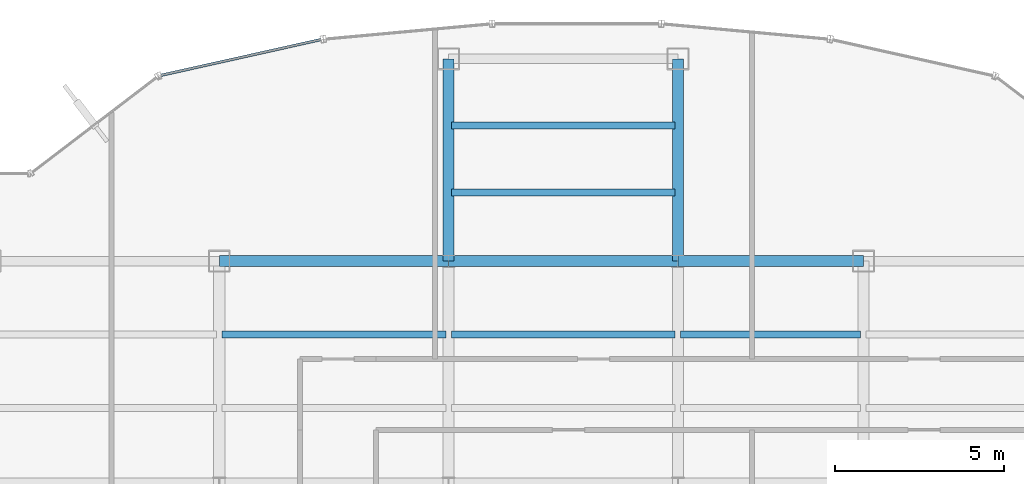
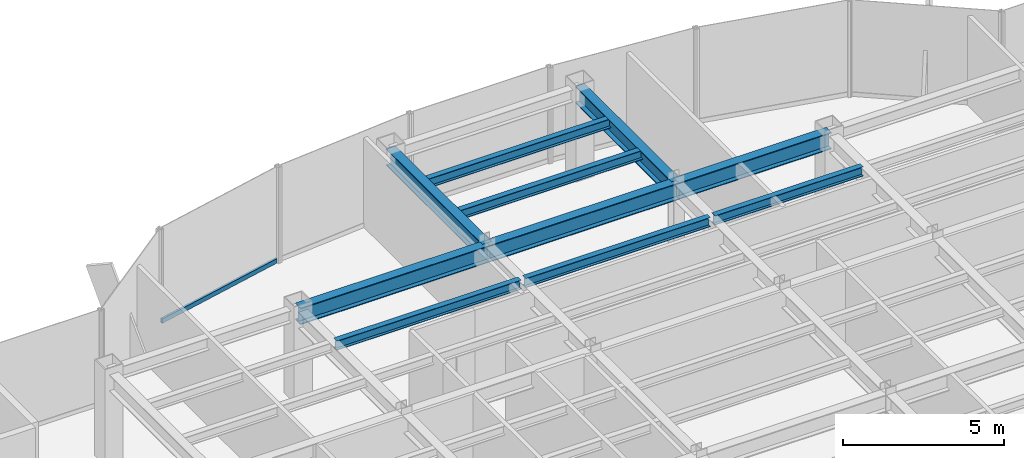
# One storey, part 15 of 25: 10 beams, 1 member, 1 element without a shape of its own.
"""IFC4 building model written with IfcOpenShell, lengths in metres."""

import ifcopenshell
import ifcopenshell.guid

model = None  # the IFC model being written
_history = None  # IfcOwnerHistory: only IFC2X3 demands one
_inside = {}  # id of a spatial element -> (the spatial element, [elements in it])
_under = {}  # id of a project, library or spatial element -> (it, [spatial elements below it])
_declared = {}  # id of a project -> (the project, [libraries it declares])
_typed = {}  # id of a type object -> (the type object, [elements of that type])
_made_of = {}  # id of a material, layer set ... -> (it, [elements and type objects made of it])


def new_model(schema):
    """Start an empty IFC model of exactly this schema.

    Asked for "IFC4X3", IfcOpenShell would pick the latest addendum, in which some entities
    have other attributes; the version numbers below select the first issue.
    IFC2X3 requires an IfcOwnerHistory on every rooted entity: one is made here for all.
    """
    global model, _history
    if schema == "IFC4X3":
        model = ifcopenshell.file(schema_version=(4, 3, 0, 0))
    else:
        model = ifcopenshell.file(schema=schema)
    _inside.clear()
    _under.clear()
    _declared.clear()
    _typed.clear()
    _made_of.clear()
    _history = None
    if model.schema == "IFC2X3":
        org = make("IfcOrganization", Name="unknown")
        user = make(
            "IfcPersonAndOrganization",
            ThePerson=make("IfcPerson", FamilyName="unknown"),
            TheOrganization=org,
        )
        app = make(
            "IfcApplication",
            ApplicationDeveloper=org,
            Version="unknown",
            ApplicationFullName="unknown",
            ApplicationIdentifier="unknown",
        )
        _history = make(
            "IfcOwnerHistory",
            OwningUser=user,
            OwningApplication=app,
            ChangeAction="ADDED",
            CreationDate=0,
        )
    return model


def make(cls, **values):
    """One entity of the class cls with the attributes given. An attribute that is None is left unset."""
    return model.create_entity(
        cls, **{name: value for name, value in values.items() if value is not None}
    )


def rooted(cls, **values):
    """An entity with a GlobalId (a new one), such as an element, a storey or a relation."""
    return make(cls, GlobalId=ifcopenshell.guid.new(), OwnerHistory=_history, **values)


def si_unit(unit_type, name, prefix=None):
    """IfcSIUnit, for example si_unit("LENGTHUNIT", "METRE", prefix="MILLI")."""
    return make("IfcSIUnit", UnitType=unit_type, Prefix=prefix, Name=name)


def derived_unit(unit_type, elements):
    """IfcDerivedUnit: a product of units, each with its exponent."""
    return make(
        "IfcDerivedUnit",
        Elements=[
            make("IfcDerivedUnitElement", Unit=unit, Exponent=power)
            for unit, power in elements
        ],
        UnitType=unit_type,
    )


def assignment(units):
    """IfcUnitAssignment: the units of a project."""
    return None if units is None else make("IfcUnitAssignment", Units=units)


def point(xyz):
    """IfcCartesianPoint."""
    return None if xyz is None else make("IfcCartesianPoint", Coordinates=xyz)


def direction(xyz):
    """IfcDirection."""
    return None if xyz is None else make("IfcDirection", DirectionRatios=xyz)


def frame(location, z_axis=None, x_axis=None):
    """IfcAxis2Placement3D, a coordinate frame: its origin and axes. An axis left out is left unset."""
    return make(
        "IfcAxis2Placement3D",
        Location=point(location),
        Axis=direction(z_axis),
        RefDirection=direction(x_axis),
    )


def frame_2d(location, x_axis=None):
    """IfcAxis2Placement2D, a coordinate frame in the plane: its origin and x axis."""
    return make(
        "IfcAxis2Placement2D", Location=point(location), RefDirection=direction(x_axis)
    )


def origin():
    """The frame at (0, 0, 0) with its axes left unset."""
    return frame((0.0, 0.0, 0.0))


def origin_2d():
    """The frame at (0, 0) in the plane with its x axis left unset."""
    return frame_2d((0.0, 0.0))


def place(relative_to, where):
    """IfcLocalPlacement: puts the frame where relative to a parent placement (None: the world)."""
    return make(
        "IfcLocalPlacement", PlacementRelTo=relative_to, RelativePlacement=where
    )


def context(
    kind, dimensions, precision=None, world=None, true_north=None, identifier=None
):
    """IfcGeometricRepresentationContext, for example the 3D "Model" context."""
    return make(
        "IfcGeometricRepresentationContext",
        ContextIdentifier=identifier,
        ContextType=kind,
        CoordinateSpaceDimension=dimensions,
        Precision=precision,
        WorldCoordinateSystem=world,
        TrueNorth=true_north,
    )


def subcontext(parent, identifier, kind, view, scale=None):
    """IfcGeometricRepresentationSubContext, for example "Body" below "Model"."""
    return make(
        "IfcGeometricRepresentationSubContext",
        ContextIdentifier=identifier,
        ContextType=kind,
        ParentContext=parent,
        TargetScale=scale,
        TargetView=view,
    )


def project(units=None, contexts=None):
    """IfcProject with its units and contexts."""
    return rooted(
        "IfcProject",
        Name="project",
        RepresentationContexts=contexts,
        UnitsInContext=assignment(units),
    )


def spatial(cls, under=None, at=None, **own):
    """A site, building, storey or space (cls), placed at a placement, below another one or the project."""
    s = rooted(cls, ObjectPlacement=at, **own)
    if under is not None:
        _under.setdefault(under.id(), (under, []))[1].append(s)
    return s


def profile(cls, at=None, kind="AREA", **sizes):
    """A parametric profile (cls). Its sizes go by their IFC names, for example OverallWidth=200.0."""
    return make(cls, ProfileType=kind, Position=at, **sizes)


def hollow_rectangle(**sizes):
    """IfcRectangleHollowProfileDef."""
    return profile("IfcRectangleHollowProfileDef", **sizes)


def i_section(**sizes):
    """IfcIShapeProfileDef."""
    return profile("IfcIShapeProfileDef", **sizes)


def extrude(swept, where, along, depth):
    """IfcExtrudedAreaSolid: the profile swept, set in the frame where, extruded along a direction by depth."""
    return make(
        "IfcExtrudedAreaSolid",
        SweptArea=swept,
        Position=where,
        ExtrudedDirection=direction(along),
        Depth=depth,
    )


def shape(context_of_items, identifier, shape_type, items):
    """IfcShapeRepresentation: the items that make up one representation, for example the "Body"."""
    return make(
        "IfcShapeRepresentation",
        ContextOfItems=context_of_items,
        RepresentationIdentifier=identifier,
        RepresentationType=shape_type,
        Items=items,
    )


def source(mapping_origin, context_of_items, identifier, shape_type, items):
    """IfcRepresentationMap: a shape defined once, which mapped items show again and again."""
    return make(
        "IfcRepresentationMap",
        MappingOrigin=mapping_origin,
        MappedRepresentation=shape(context_of_items, identifier, shape_type, items),
    )


def transform(
    local_origin,
    x_axis=None,
    y_axis=None,
    z_axis=None,
    scale=None,
    scale2=None,
    scale3=None,
    uniform=True,
):
    """IfcCartesianTransformationOperator3D, or its non-uniform kind. x_axis, y_axis, z_axis: its Axis1, 2, 3."""
    if uniform:
        return make(
            "IfcCartesianTransformationOperator3D",
            Axis1=direction(x_axis),
            Axis2=direction(y_axis),
            LocalOrigin=point(local_origin),
            Scale=scale,
            Axis3=direction(z_axis),
        )
    return make(
        "IfcCartesianTransformationOperator3DnonUniform",
        Axis1=direction(x_axis),
        Axis2=direction(y_axis),
        LocalOrigin=point(local_origin),
        Scale=scale,
        Axis3=direction(z_axis),
        Scale2=scale2,
        Scale3=scale3,
    )


def mapped(mapping_source, mapping_target):
    """IfcMappedItem: shows the shape of a source again, moved by a transform."""
    return make(
        "IfcMappedItem", MappingSource=mapping_source, MappingTarget=mapping_target
    )


def material(Name=None, Category=None):
    """IfcMaterial."""
    return make("IfcMaterial", Name=Name, Category=Category)


def material_profile(
    of_material, cross_section, Name=None, Category=None, Priority=None
):
    """IfcMaterialProfile: a cross section and its material."""
    return make(
        "IfcMaterialProfile",
        Name=Name,
        Material=of_material,
        Profile=cross_section,
        Priority=Priority,
        Category=Category,
    )


def profile_set(profiles, Name=None, composite=None):
    """IfcMaterialProfileSet."""
    return make(
        "IfcMaterialProfileSet",
        Name=Name,
        MaterialProfiles=profiles,
        CompositeProfile=composite,
    )


def made_of(thing, what):
    """Note that an element or type object is made of a material, layer set ...; save() writes the relation."""
    if what is not None:
        _made_of.setdefault(what.id(), (what, []))[1].append(thing)
    return thing


def type_object(cls, material=None, **own):
    """A type object (cls), such as IfcWallType, which elements share."""
    return made_of(rooted(cls, **own), material)


def element(
    cls,
    number,
    at=None,
    inside=None,
    cuts=None,
    type_object=None,
    material=None,
    context=None,
    identifier="Body",
    shape_type=None,
    held_by="IfcProductDefinitionShape",
    body=None,
    shapes=None,
    **own,
):
    """One element of the class cls, such as IfcWall. Its Tag is "e" and its number.

    at: its placement. inside: the storey or other place that contains it. cuts: it is an
    opening in that element (IfcRelVoidsElement). A single representation is given by context,
    identifier, shape_type and body (its items); several are given by shapes. held_by: the class
    of the entity that holds the representations. save() writes the other relations.
    """
    e = rooted(cls, Tag="e%d" % number, ObjectPlacement=at, **own)
    if body is not None:
        shapes = [shape(context, identifier, shape_type, body)]
    if shapes is not None:
        e.Representation = make(held_by, Representations=shapes)
    if inside is not None:
        _inside.setdefault(inside.id(), (inside, []))[1].append(e)
    if cuts is not None:
        rooted(
            "IfcRelVoidsElement", RelatingBuildingElement=cuts, RelatedOpeningElement=e
        )
    if type_object is not None:
        _typed.setdefault(type_object.id(), (type_object, []))[1].append(e)
    return made_of(e, material)


def aggregate(whole, parts):
    """IfcRelAggregates: a whole, such as a stair, and the parts it consists of."""
    return rooted("IfcRelAggregates", RelatingObject=whole, RelatedObjects=parts)


def save(model, path):
    """Write the relations noted so far, then the file.

    IfcRelAggregates (storeys below a building ...), IfcRelContainedInSpatialStructure (elements
    in a storey), IfcRelDefinesByType, IfcRelAssociatesMaterial and IfcRelDeclares: one each for
    every whole, place, type object, material and project.
    """
    for whole, parts in _under.values():
        aggregate(whole, parts)
    for where, things in _inside.values():
        rooted(
            "IfcRelContainedInSpatialStructure",
            RelatedElements=things,
            RelatingStructure=where,
        )
    for kind, things in _typed.values():
        rooted("IfcRelDefinesByType", RelatedObjects=things, RelatingType=kind)
    for what, things in _made_of.values():
        rooted("IfcRelAssociatesMaterial", RelatedObjects=things, RelatingMaterial=what)
    for by, libraries in _declared.values():
        rooted("IfcRelDeclares", RelatingContext=by, RelatedDefinitions=libraries)
    model.write(path)


model = new_model("IFC4")

# Units and contexts
model_context = context("Model", 3, precision=1e-05, world=origin(), true_north=direction((0.0, 1.0)))
body_context = subcontext(model_context, "Body", "Model", "MODEL_VIEW")
ifc_project = project(units=[si_unit("LENGTHUNIT", "METRE"), si_unit("AREAUNIT", "SQUARE_METRE"), si_unit("VOLUMEUNIT", "CUBIC_METRE"), si_unit("PLANEANGLEUNIT", "RADIAN"), si_unit("MASSUNIT", "GRAM", prefix="KILO"), derived_unit("THERMALTRANSMITTANCEUNIT", [(si_unit("POWERUNIT", "WATT"), 1), (si_unit("LENGTHUNIT", "METRE"), -2), (si_unit("THERMODYNAMICTEMPERATUREUNIT", "KELVIN"), -1)])], contexts=[model_context])

# Site, building, storey
site_placement = place(None, origin())
site = spatial("IfcSite", under=ifc_project, at=site_placement, CompositionType="ELEMENT")
building_placement = place(site_placement, origin())
building = spatial("IfcBuilding", under=site, at=building_placement, Name="Skarnbrae Concourse Arena and Tower", CompositionType="ELEMENT")
storey_placement = place(building_placement, frame((0.0, 0.0, 158.85009765625)))
storey = spatial("IfcBuildingStorey", under=building, at=storey_placement, Name="L40", CompositionType="ELEMENT", Elevation=158.85009765625)

# Beams
ifc_material_1 = material(Name="Steel CSA G40.21 350W", Category="steel")
ifc_material_profile_1 = material_profile(ifc_material_1, i_section(OverallWidth=0.3291015625, OverallDepth=0.635009765625, WebThickness=0.017822265625, FlangeThickness=0.031005859375, at=origin_2d()), Name="W610X241")
ifc_profile_set_1 = profile_set([ifc_material_profile_1], Name="Steel CSA G40.21 350W")
beam_type_1 = type_object("IfcBeamType", Name="BM-GIRD-W610X241", PredefinedType="BEAM", material=ifc_profile_set_1)
shared_shape_1 = source(origin(), body_context, "Body", "SweptSolid", [
    extrude(i_section(OverallWidth=0.3291015625, OverallDepth=0.635009765625, WebThickness=0.017822265625, FlangeThickness=0.031005859375, at=origin_2d()), origin(), (0.0, 0.0, 1.0), 6.800048828125),
])
for number, where, z_axis, x_axis, name in (
    (1, (14.39990234375, 34.39990234375, 3.08251953125), (1.0, 0.0, 0.0), (0.0, 1.0, 0.0), "L40 Primary E-W girder Y34.4-2"),
    (2, (21.199951171875, 34.39990234375, 3.08251953125), (1.0, 0.0, 0.0), (0.0, 1.0, 0.0), "L40 Primary E-W girder Y34.4-3"),
):
    element("IfcBeam", number, at=place(storey_placement, frame(where, z_axis=z_axis, x_axis=x_axis)), inside=storey, type_object=beam_type_1, Name=name, PredefinedType="BEAM", context=body_context, shape_type="MappedRepresentation", body=[
        mapped(shared_shape_1, transform((0.0, 0.0, 0.0))),
    ])
shared_shape_2 = source(origin(), body_context, "Body", "SweptSolid", [
    extrude(i_section(OverallWidth=0.3291015625, OverallDepth=0.635009765625, WebThickness=0.017822265625, FlangeThickness=0.031005859375, at=origin_2d()), origin(), (0.0, 0.0, 1.0), 5.5),
])
beam_1_placement = place(storey_placement, frame((28.0, 34.39990234375, 3.08251953125), z_axis=(1.0, 0.0, 0.0), x_axis=(0.0, 1.0, 0.0)))
element("IfcBeam", 3, at=beam_1_placement, inside=storey, type_object=beam_type_1, Name="L40 Primary E-W girder Y34.4-4", PredefinedType="BEAM", context=body_context, shape_type="MappedRepresentation", body=[
    mapped(shared_shape_2, transform((0.0, 0.0, 0.0))),
])
shared_shape_3 = source(origin(), body_context, "Body", "SweptSolid", [
    extrude(i_section(OverallWidth=0.3291015625, OverallDepth=0.635009765625, WebThickness=0.017822265625, FlangeThickness=0.031005859375, at=origin_2d()), origin(), (0.0, 0.0, 1.0), 6.0),
])
for number, where, z_axis, x_axis, name in (
    (4, (21.199951171875, 34.39990234375, 3.08251953125), (0.0, 1.0, 0.0), (-1.0, 0.0, 0.0), "L40 Primary N-S girder X21.2-4"),
    (5, (28.0, 34.39990234375, 3.08251953125), (0.0, 1.0, 0.0), (-1.0, 0.0, 0.0), "L40 Primary N-S girder X28.0-4"),
):
    element("IfcBeam", number, at=place(storey_placement, frame(where, z_axis=z_axis, x_axis=x_axis)), inside=storey, type_object=beam_type_1, Name=name, PredefinedType="BEAM", context=body_context, shape_type="MappedRepresentation", body=[
        mapped(shared_shape_3, transform((0.0, 0.0, 0.0))),
    ])
ifc_material_profile_2 = material_profile(ifc_material_1, i_section(OverallWidth=0.205078125, OverallDepth=0.35400390625, WebThickness=0.009521484375, FlangeThickness=0.016845703125, at=origin_2d()), Name="W360X79")
ifc_profile_set_2 = profile_set([ifc_material_profile_2], Name="Steel CSA G40.21 350W")
beam_type_2 = type_object("IfcBeamType", Name="BM-JOIST-W360X79", PredefinedType="JOIST", material=ifc_profile_set_2)
shared_shape_4 = source(origin(), body_context, "Body", "SweptSolid", [
    extrude(i_section(OverallWidth=0.205078125, OverallDepth=0.35400390625, WebThickness=0.009521484375, FlangeThickness=0.016845703125, at=origin_2d()), origin(), (0.0, 0.0, 1.0), 6.64013671875),
])
beam_2_placement = place(storey_placement, frame((14.47998046875, 32.221923828125, 3.222900390625), z_axis=(1.0, 0.0, 0.0), x_axis=(0.0, 1.0, 0.0)))
element("IfcBeam", 6, at=beam_2_placement, inside=storey, type_object=beam_type_2, Name="L40 Secondary floor joist 3.2.2", PredefinedType="JOIST", context=body_context, shape_type="MappedRepresentation", body=[
    mapped(shared_shape_4, transform((0.0, 0.0, 0.0))),
])
shared_shape_5 = source(origin(), body_context, "Body", "SweptSolid", [
    extrude(i_section(OverallWidth=0.205078125, OverallDepth=0.35400390625, WebThickness=0.009521484375, FlangeThickness=0.016845703125, at=origin_2d()), origin(), (0.0, 0.0, 1.0), 6.639892578125),
])
for number, where, z_axis, x_axis, name in (
    (7, (21.280029296875, 32.221923828125, 3.222900390625), (1.0, 0.0, 0.0), (0.0, 1.0, 0.0), "L40 Secondary floor joist 3.2.3"),
    (8, (21.280029296875, 36.43994140625, 3.222900390625), (1.0, 0.0, 0.0), (0.0, 1.0, 0.0), "L40 Secondary floor joist 4.1.1"),
    (9, (21.280029296875, 38.419921875, 3.222900390625), (1.0, 0.0, 0.0), (0.0, 1.0, 0.0), "L40 Secondary floor joist 4.2.1"),
):
    element("IfcBeam", number, at=place(storey_placement, frame(where, z_axis=z_axis, x_axis=x_axis)), inside=storey, type_object=beam_type_2, Name=name, PredefinedType="JOIST", context=body_context, shape_type="MappedRepresentation", body=[
        mapped(shared_shape_5, transform((0.0, 0.0, 0.0))),
    ])
shared_shape_6 = source(origin(), body_context, "Body", "SweptSolid", [
    extrude(i_section(OverallWidth=0.205078125, OverallDepth=0.35400390625, WebThickness=0.009521484375, FlangeThickness=0.016845703125, at=origin_2d()), origin(), (0.0, 0.0, 1.0), 5.33984375),
])
beam_3_placement = place(storey_placement, frame((28.080078125, 32.221923828125, 3.222900390625), z_axis=(1.0, 0.0, 0.0), x_axis=(0.0, 1.0, 0.0)))
element("IfcBeam", 10, at=beam_3_placement, inside=storey, type_object=beam_type_2, Name="L40 Secondary floor joist 3.2.4", PredefinedType="JOIST", context=body_context, shape_type="MappedRepresentation", body=[
    mapped(shared_shape_6, transform((0.0, 0.0, 0.0))),
])

# Curtain wall, member
ifc_material_2 = material(Name="Bronze anodised aluminium 6063-T6", Category="aluminium")
curtain_wall_type = type_object("IfcCurtainWallType", Name="CW-SYS-03-PORTAL", PredefinedType="USERDEFINED", material=ifc_material_2)
curtain_wall_placement = place(storey_placement, origin())
curtain_wall = element("IfcCurtainWall", 11, at=curtain_wall_placement, inside=storey, type_object=curtain_wall_type, Name="L40 Unitised curtain wall CW-L40-E13", ObjectType="UNITISED CURTAIN WALL", PredefinedType="USERDEFINED")
ifc_material_profile_3 = material_profile(ifc_material_2, hollow_rectangle(XDim=0.080078125, YDim=0.169921875, WallThickness=0.00439453125, at=origin_2d()), Name="ALU-TRAN-80X170")
ifc_profile_set_3 = profile_set([ifc_material_profile_3], Name="Bronze anodised aluminium 6063-T6")
member_type = type_object("IfcMemberType", Name="CWT-CW-03", PredefinedType="USERDEFINED", material=ifc_profile_set_3)
shared_shape_7 = source(origin(), body_context, "Body", "SweptSolid", [
    extrude(hollow_rectangle(XDim=0.080078125, YDim=0.169921875, WallThickness=0.00439453125, at=origin_2d()), origin(), (0.0, 0.0, 1.0), 4.85791015625),
])
member_placement = place(storey_placement, frame((17.40966796875, 40.969482421875, 0.0849609375), z_axis=(-0.975934527506, -0.21806374761, 0.0), x_axis=(0.21806374761, -0.975934527506, 0.0)))
member = element("IfcMember", 12, at=member_placement, type_object=member_type, Name="CW-L40-E13 Transom 1", ObjectType="TRANSOM", PredefinedType="USERDEFINED", context=body_context, shape_type="MappedRepresentation", body=[
    mapped(shared_shape_7, transform((0.0, 0.0, 0.0))),
])
aggregate(curtain_wall, [member])

save(model, "model.ifc")
